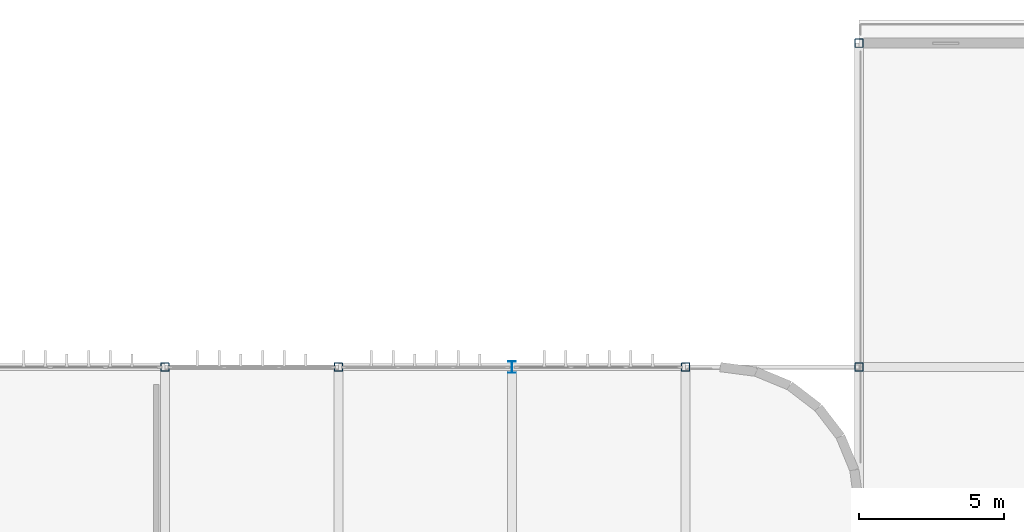
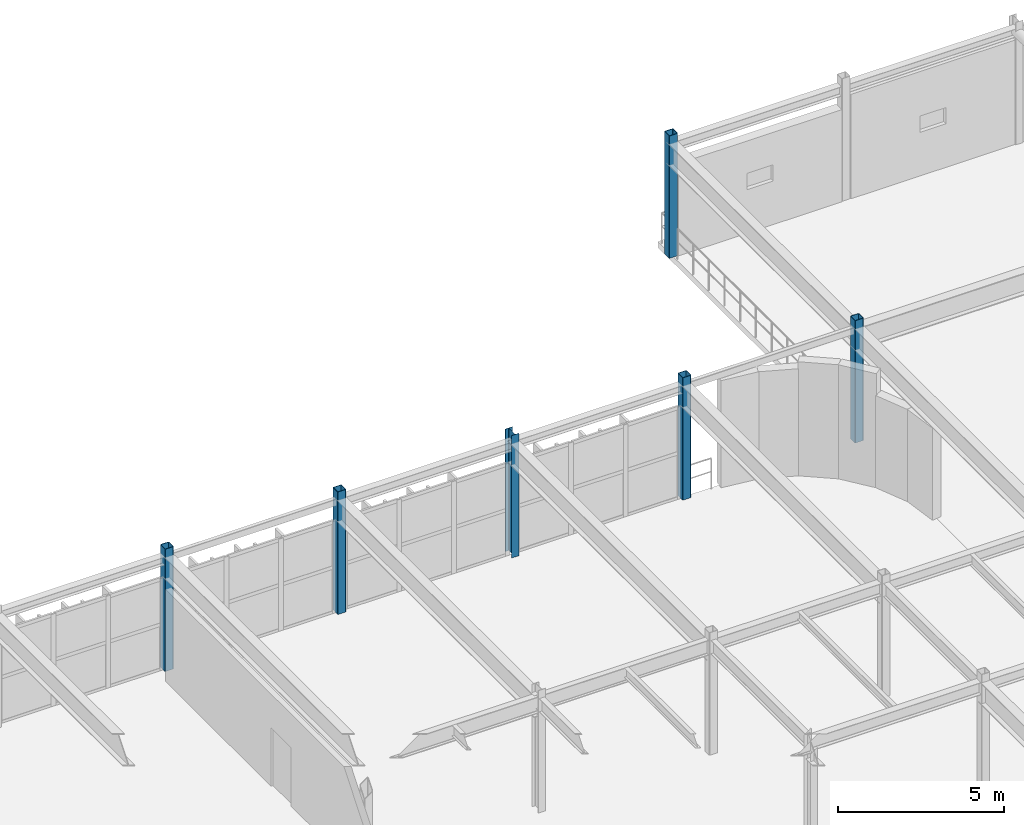
# One storey, part 17 of 96: 6 columns.
"""IFC4 building model written with IfcOpenShell, lengths in metres."""

from ifc_helpers import new_model, si_unit, direction, frame, origin, origin_2d, place, context, subcontext, project, spatial, hollow_rectangle, i_section, extrude, material, material_profile, profile_set, type_object, element, save


model = new_model("IFC4")

# Units and contexts
model_context = context("Model", 3, precision=1e-05, world=origin(), true_north=direction((0.0, 1.0)))
body_context = subcontext(model_context, "Body", "Model", "MODEL_VIEW")
ifc_project = project(units=[si_unit("LENGTHUNIT", "METRE"), si_unit("AREAUNIT", "SQUARE_METRE"), si_unit("VOLUMEUNIT", "CUBIC_METRE"), si_unit("PLANEANGLEUNIT", "RADIAN"), si_unit("MASSUNIT", "GRAM", prefix="KILO")], contexts=[model_context])

# Site, building, storey
site_placement = place(None, origin())
site = spatial("IfcSite", under=ifc_project, at=site_placement, CompositionType="ELEMENT")
building_placement = place(site_placement, origin())
building = spatial("IfcBuilding", under=site, at=building_placement, Name="Varnakota Square Police Headquarters", CompositionType="ELEMENT")
storey_placement = place(building_placement, frame((0.0, 0.0, 4.800048828125)))
storey = spatial("IfcBuildingStorey", under=building, at=storey_placement, Name="L01", CompositionType="ELEMENT", Elevation=4.800048828125)

# Columns
ifc_material = material(Name="Steel IS 2062 Grade 350", Category="steel")
ifc_material_profile_1 = material_profile(ifc_material, i_section(OverallWidth=0.25, OverallDepth=0.39990234375, WebThickness=0.010498046875, FlangeThickness=0.0126953125, FilletRadius=0.013916015625, at=origin_2d()), Name="ISHB 400")
ifc_profile_set_1 = profile_set([ifc_material_profile_1], Name="Steel IS 2062 Grade 350")
column_type_1 = type_object("IfcColumnType", Name="COL-ISHB400", PredefinedType="COLUMN", material=ifc_profile_set_1)
column_placement = place(storey_placement, frame((84.0, 99.0, 0.0), z_axis=(0.0, 0.0, 1.0), x_axis=(1.0, 0.0, 0.0)))
element("IfcColumn", 1, at=column_placement, inside=storey, type_object=column_type_1, Name="Column X0840-Y0990 L01", PredefinedType="COLUMN", context=body_context, shape_type="SweptSolid", body=[
    extrude(i_section(OverallWidth=0.25, OverallDepth=0.39990234375, WebThickness=0.010498046875, FlangeThickness=0.0126953125, FilletRadius=0.013916015625, at=origin_2d()), origin(), (0.0, 0.0, 1.0), 4.5),
])
ifc_material_profile_2 = material_profile(ifc_material, hollow_rectangle(XDim=0.300048828125, YDim=0.300048828125, WallThickness=0.01611328125, InnerFilletRadius=0.01611328125, OuterFilletRadius=0.031982421875, at=origin_2d()), Name="SHS 300x300x16")
ifc_profile_set_2 = profile_set([ifc_material_profile_2], Name="Steel IS 2062 Grade 350")
column_type_2 = type_object("IfcColumnType", Name="COL-SHS300", PredefinedType="COLUMN", material=ifc_profile_set_2)
for number, where, z_axis, x_axis, name in (
    (2, (72.0, 99.0, 0.0), (0.0, 0.0, 1.0), (1.0, 0.0, 0.0), "Column X0720-Y0990 L01"),
    (3, (78.0, 99.0, 0.0), (0.0, 0.0, 1.0), (1.0, 0.0, 0.0), "Column X0780-Y0990 L01"),
    (4, (90.0, 99.0, 0.0), (0.0, 0.0, 1.0), (1.0, 0.0, 0.0), "Column X0900-Y0990 L01"),
    (5, (96.0, 99.0, 0.0), (0.0, 0.0, 1.0), (1.0, 0.0, 0.0), "Column X0960-Y0990 L01"),
    (6, (96.0, 110.199951171875, 0.0), (0.0, 0.0, 1.0), (1.0, 0.0, 0.0), "Column X0960-Y1102 L01"),
):
    element("IfcColumn", number, at=place(storey_placement, frame(where, z_axis=z_axis, x_axis=x_axis)), inside=storey, type_object=column_type_2, Name=name, PredefinedType="COLUMN", context=body_context, shape_type="SweptSolid", body=[
        extrude(hollow_rectangle(XDim=0.300048828125, YDim=0.300048828125, WallThickness=0.01611328125, InnerFilletRadius=0.01611328125, OuterFilletRadius=0.031982421875, at=origin_2d()), origin(), (0.0, 0.0, 1.0), 4.5),
    ])

save(model, "model.ifc")
